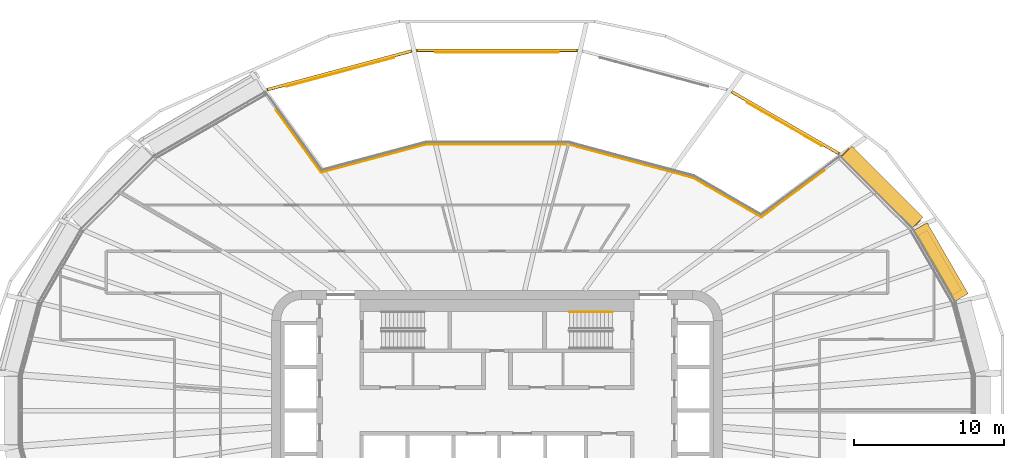
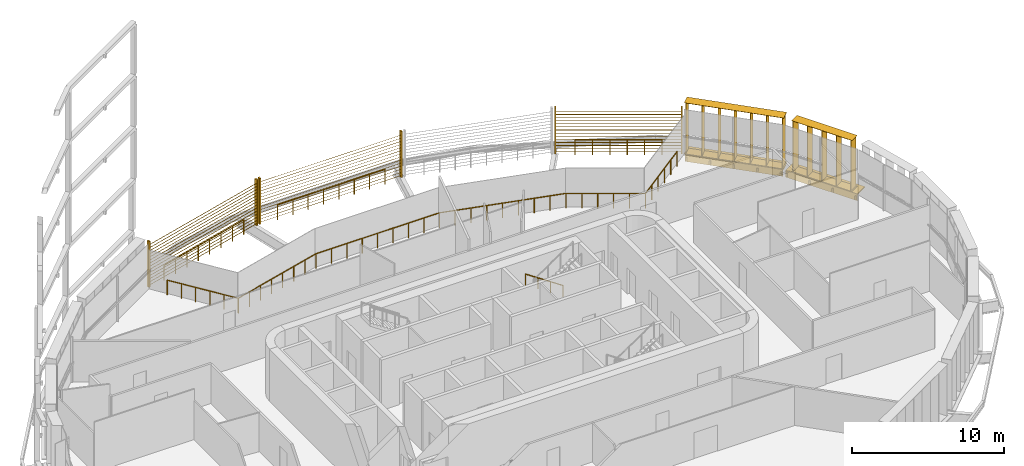
# One storey, part 24 of 25: 7 shading devices, 6 railings.
"""IFC4 building model written with IfcOpenShell, lengths in metres."""

import ifcopenshell
import ifcopenshell.guid

model = None  # the IFC model being written
_history = None  # IfcOwnerHistory: only IFC2X3 demands one
_inside = {}  # id of a spatial element -> (the spatial element, [elements in it])
_under = {}  # id of a project, library or spatial element -> (it, [spatial elements below it])
_declared = {}  # id of a project -> (the project, [libraries it declares])
_typed = {}  # id of a type object -> (the type object, [elements of that type])
_made_of = {}  # id of a material, layer set ... -> (it, [elements and type objects made of it])


def new_model(schema):
    """Start an empty IFC model of exactly this schema.

    Asked for "IFC4X3", IfcOpenShell would pick the latest addendum, in which some entities
    have other attributes; the version numbers below select the first issue.
    IFC2X3 requires an IfcOwnerHistory on every rooted entity: one is made here for all.
    """
    global model, _history
    if schema == "IFC4X3":
        model = ifcopenshell.file(schema_version=(4, 3, 0, 0))
    else:
        model = ifcopenshell.file(schema=schema)
    _inside.clear()
    _under.clear()
    _declared.clear()
    _typed.clear()
    _made_of.clear()
    _history = None
    if model.schema == "IFC2X3":
        org = make("IfcOrganization", Name="unknown")
        user = make(
            "IfcPersonAndOrganization",
            ThePerson=make("IfcPerson", FamilyName="unknown"),
            TheOrganization=org,
        )
        app = make(
            "IfcApplication",
            ApplicationDeveloper=org,
            Version="unknown",
            ApplicationFullName="unknown",
            ApplicationIdentifier="unknown",
        )
        _history = make(
            "IfcOwnerHistory",
            OwningUser=user,
            OwningApplication=app,
            ChangeAction="ADDED",
            CreationDate=0,
        )
    return model


def make(cls, **values):
    """One entity of the class cls with the attributes given. An attribute that is None is left unset."""
    return model.create_entity(
        cls, **{name: value for name, value in values.items() if value is not None}
    )


def rooted(cls, **values):
    """An entity with a GlobalId (a new one), such as an element, a storey or a relation."""
    return make(cls, GlobalId=ifcopenshell.guid.new(), OwnerHistory=_history, **values)


def si_unit(unit_type, name, prefix=None):
    """IfcSIUnit, for example si_unit("LENGTHUNIT", "METRE", prefix="MILLI")."""
    return make("IfcSIUnit", UnitType=unit_type, Prefix=prefix, Name=name)


def assignment(units):
    """IfcUnitAssignment: the units of a project."""
    return None if units is None else make("IfcUnitAssignment", Units=units)


def point(xyz):
    """IfcCartesianPoint."""
    return None if xyz is None else make("IfcCartesianPoint", Coordinates=xyz)


def direction(xyz):
    """IfcDirection."""
    return None if xyz is None else make("IfcDirection", DirectionRatios=xyz)


def frame(location, z_axis=None, x_axis=None):
    """IfcAxis2Placement3D, a coordinate frame: its origin and axes. An axis left out is left unset."""
    return make(
        "IfcAxis2Placement3D",
        Location=point(location),
        Axis=direction(z_axis),
        RefDirection=direction(x_axis),
    )


def frame_2d(location, x_axis=None):
    """IfcAxis2Placement2D, a coordinate frame in the plane: its origin and x axis."""
    return make(
        "IfcAxis2Placement2D", Location=point(location), RefDirection=direction(x_axis)
    )


def origin():
    """The frame at (0, 0, 0) with its axes left unset."""
    return frame((0.0, 0.0, 0.0))


def origin_2d():
    """The frame at (0, 0) in the plane with its x axis left unset."""
    return frame_2d((0.0, 0.0))


def place(relative_to, where):
    """IfcLocalPlacement: puts the frame where relative to a parent placement (None: the world)."""
    return make(
        "IfcLocalPlacement", PlacementRelTo=relative_to, RelativePlacement=where
    )


def context(
    kind, dimensions, precision=None, world=None, true_north=None, identifier=None
):
    """IfcGeometricRepresentationContext, for example the 3D "Model" context."""
    return make(
        "IfcGeometricRepresentationContext",
        ContextIdentifier=identifier,
        ContextType=kind,
        CoordinateSpaceDimension=dimensions,
        Precision=precision,
        WorldCoordinateSystem=world,
        TrueNorth=true_north,
    )


def subcontext(parent, identifier, kind, view, scale=None):
    """IfcGeometricRepresentationSubContext, for example "Body" below "Model"."""
    return make(
        "IfcGeometricRepresentationSubContext",
        ContextIdentifier=identifier,
        ContextType=kind,
        ParentContext=parent,
        TargetScale=scale,
        TargetView=view,
    )


def project(units=None, contexts=None):
    """IfcProject with its units and contexts."""
    return rooted(
        "IfcProject",
        Name="project",
        RepresentationContexts=contexts,
        UnitsInContext=assignment(units),
    )


def spatial(cls, under=None, at=None, **own):
    """A site, building, storey or space (cls), placed at a placement, below another one or the project."""
    s = rooted(cls, ObjectPlacement=at, **own)
    if under is not None:
        _under.setdefault(under.id(), (under, []))[1].append(s)
    return s


def profile(cls, at=None, kind="AREA", **sizes):
    """A parametric profile (cls). Its sizes go by their IFC names, for example OverallWidth=200.0."""
    return make(cls, ProfileType=kind, Position=at, **sizes)


def rectangle(**sizes):
    """IfcRectangleProfileDef."""
    return profile("IfcRectangleProfileDef", **sizes)


def circle(**sizes):
    """IfcCircleProfileDef."""
    return profile("IfcCircleProfileDef", **sizes)


def extrude(swept, where, along, depth):
    """IfcExtrudedAreaSolid: the profile swept, set in the frame where, extruded along a direction by depth."""
    return make(
        "IfcExtrudedAreaSolid",
        SweptArea=swept,
        Position=where,
        ExtrudedDirection=direction(along),
        Depth=depth,
    )


def shape(context_of_items, identifier, shape_type, items):
    """IfcShapeRepresentation: the items that make up one representation, for example the "Body"."""
    return make(
        "IfcShapeRepresentation",
        ContextOfItems=context_of_items,
        RepresentationIdentifier=identifier,
        RepresentationType=shape_type,
        Items=items,
    )


def material(Name=None, Category=None):
    """IfcMaterial."""
    return make("IfcMaterial", Name=Name, Category=Category)


def made_of(thing, what):
    """Note that an element or type object is made of a material, layer set ...; save() writes the relation."""
    if what is not None:
        _made_of.setdefault(what.id(), (what, []))[1].append(thing)
    return thing


def type_object(cls, material=None, **own):
    """A type object (cls), such as IfcWallType, which elements share."""
    return made_of(rooted(cls, **own), material)


def element(
    cls,
    number,
    at=None,
    inside=None,
    cuts=None,
    type_object=None,
    material=None,
    context=None,
    identifier="Body",
    shape_type=None,
    held_by="IfcProductDefinitionShape",
    body=None,
    shapes=None,
    **own,
):
    """One element of the class cls, such as IfcWall. Its Tag is "e" and its number.

    at: its placement. inside: the storey or other place that contains it. cuts: it is an
    opening in that element (IfcRelVoidsElement). A single representation is given by context,
    identifier, shape_type and body (its items); several are given by shapes. held_by: the class
    of the entity that holds the representations. save() writes the other relations.
    """
    e = rooted(cls, Tag="e%d" % number, ObjectPlacement=at, **own)
    if body is not None:
        shapes = [shape(context, identifier, shape_type, body)]
    if shapes is not None:
        e.Representation = make(held_by, Representations=shapes)
    if inside is not None:
        _inside.setdefault(inside.id(), (inside, []))[1].append(e)
    if cuts is not None:
        rooted(
            "IfcRelVoidsElement", RelatingBuildingElement=cuts, RelatedOpeningElement=e
        )
    if type_object is not None:
        _typed.setdefault(type_object.id(), (type_object, []))[1].append(e)
    return made_of(e, material)


def aggregate(whole, parts):
    """IfcRelAggregates: a whole, such as a stair, and the parts it consists of."""
    return rooted("IfcRelAggregates", RelatingObject=whole, RelatedObjects=parts)


def save(model, path):
    """Write the relations noted so far, then the file.

    IfcRelAggregates (storeys below a building ...), IfcRelContainedInSpatialStructure (elements
    in a storey), IfcRelDefinesByType, IfcRelAssociatesMaterial and IfcRelDeclares: one each for
    every whole, place, type object, material and project.
    """
    for whole, parts in _under.values():
        aggregate(whole, parts)
    for where, things in _inside.values():
        rooted(
            "IfcRelContainedInSpatialStructure",
            RelatedElements=things,
            RelatingStructure=where,
        )
    for kind, things in _typed.values():
        rooted("IfcRelDefinesByType", RelatedObjects=things, RelatingType=kind)
    for what, things in _made_of.values():
        rooted("IfcRelAssociatesMaterial", RelatedObjects=things, RelatingMaterial=what)
    for by, libraries in _declared.values():
        rooted("IfcRelDeclares", RelatingContext=by, RelatedDefinitions=libraries)
    model.write(path)


model = new_model("IFC4")

# Units and contexts
model_context = context("Model", 3, precision=1e-05, world=origin(), true_north=direction((0.0, 1.0)))
body_context = subcontext(model_context, "Body", "Model", "MODEL_VIEW")
ifc_project = project(units=[si_unit("LENGTHUNIT", "METRE"), si_unit("AREAUNIT", "SQUARE_METRE"), si_unit("VOLUMEUNIT", "CUBIC_METRE"), si_unit("PLANEANGLEUNIT", "RADIAN"), si_unit("MASSUNIT", "GRAM", prefix="KILO")], contexts=[model_context])

# Site, building, storey
site_placement = place(None, origin())
site = spatial("IfcSite", under=ifc_project, at=site_placement, CompositionType="ELEMENT")
building_placement = place(site_placement, origin())
building = spatial("IfcBuilding", under=site, at=building_placement, Name="Sahrelin Media Tower", CompositionType="ELEMENT")
storey_placement = place(building_placement, frame((0.0, 0.0, 127.199951171875)))
storey = spatial("IfcBuildingStorey", under=building, at=storey_placement, Name="L25", CompositionType="ELEMENT", Elevation=127.199951171875)

# Shading devices
ifc_material_1 = material(Name="Champagne anodised aluminium 6063-T6", Category="aluminium")
shading_device_type_1 = type_object("IfcShadingDeviceType", Name="Fin cassette", PredefinedType="USERDEFINED", material=ifc_material_1)
placement_1 = place(storey_placement, frame((29.098388671875, 9.6240234375, 0.0), z_axis=(0.0, 0.0, 1.0), x_axis=(0.500011000363, -0.866019052629, 0.0)))
element("IfcShadingDevice", 1, at=placement_1, inside=storey, type_object=shading_device_type_1, Name="L25:FIN:L25-02", ObjectType="FIN", PredefinedType="USERDEFINED", context=body_context, shape_type="SweptSolid", body=[
    extrude(rectangle(XDim=4.60009765625, YDim=0.699951171875, at=origin_2d()), frame((0.0, 0.419921875, 0.0)), (0.0, 0.0, 1.0), 0.02001953125),
    extrude(rectangle(XDim=4.60009765625, YDim=0.699951171875, at=origin_2d()), frame((0.0, 0.419921875, 4.10009765625)), (0.0, 0.0, 1.0), 0.02001953125),
    extrude(rectangle(XDim=0.02001953125, YDim=0.699951171875, at=origin_2d()), frame((-2.199951171875, 0.419921875, 0.010009765625), z_axis=(0.0, 0.0, 1.0), x_axis=(1.0, 0.0, 0.0)), (0.0, 0.0, 1.0), 4.10009765625),
    extrude(rectangle(XDim=0.02001953125, YDim=0.699951171875, at=origin_2d()), frame((-1.10009765625, 0.419921875, 0.010009765625), z_axis=(0.0, 0.0, 1.0), x_axis=(1.0, 0.0, 0.0)), (0.0, 0.0, 1.0), 4.10009765625),
    extrude(rectangle(XDim=0.02001953125, YDim=0.699951171875, at=origin_2d()), frame((0.0, 0.419921875, 0.010009765625), z_axis=(0.0, 0.0, 1.0), x_axis=(1.0, 0.0, 0.0)), (0.0, 0.0, 1.0), 4.10009765625),
    extrude(rectangle(XDim=0.02001953125, YDim=0.699951171875, at=origin_2d()), frame((1.10009765625, 0.419921875, 0.010009765625), z_axis=(0.0, 0.0, 1.0), x_axis=(1.0, 0.0, 0.0)), (0.0, 0.0, 1.0), 4.10009765625),
    extrude(rectangle(XDim=0.02001953125, YDim=0.699951171875, at=origin_2d()), frame((2.199951171875, 0.419921875, 0.010009765625), z_axis=(0.0, 0.0, 1.0), x_axis=(1.0, 0.0, 0.0)), (0.0, 0.0, 1.0), 4.10009765625),
])
placement_2 = place(storey_placement, frame((25.25634765625, 14.5009765625, 0.0), z_axis=(0.0, 0.0, 1.0), x_axis=(0.707106781187, -0.707106781187, 0.0)))
element("IfcShadingDevice", 2, at=placement_2, inside=storey, type_object=shading_device_type_1, Name="L25:FIN:L25-03", ObjectType="FIN", PredefinedType="USERDEFINED", context=body_context, shape_type="SweptSolid", body=[
    extrude(rectangle(XDim=6.800048828125, YDim=0.699951171875, at=origin_2d()), frame((0.0, 0.419921875, 0.0)), (0.0, 0.0, 1.0), 0.02001953125),
    extrude(rectangle(XDim=6.800048828125, YDim=0.699951171875, at=origin_2d()), frame((0.0, 0.419921875, 4.10009765625)), (0.0, 0.0, 1.0), 0.02001953125),
    extrude(rectangle(XDim=0.02001953125, YDim=0.699951171875, at=origin_2d()), frame((-3.300048828125, 0.419921875, 0.010009765625), z_axis=(0.0, 0.0, 1.0), x_axis=(1.0, 0.0, 0.0)), (0.0, 0.0, 1.0), 4.10009765625),
    extrude(rectangle(XDim=0.02001953125, YDim=0.699951171875, at=origin_2d()), frame((-2.199951171875, 0.419921875, 0.010009765625), z_axis=(0.0, 0.0, 1.0), x_axis=(1.0, 0.0, 0.0)), (0.0, 0.0, 1.0), 4.10009765625),
    extrude(rectangle(XDim=0.02001953125, YDim=0.699951171875, at=origin_2d()), frame((-1.10009765625, 0.419921875, 0.010009765625), z_axis=(0.0, 0.0, 1.0), x_axis=(1.0, 0.0, 0.0)), (0.0, 0.0, 1.0), 4.10009765625),
    extrude(rectangle(XDim=0.02001953125, YDim=0.699951171875, at=origin_2d()), frame((0.0, 0.419921875, 0.010009765625), z_axis=(0.0, 0.0, 1.0), x_axis=(1.0, 0.0, 0.0)), (0.0, 0.0, 1.0), 4.10009765625),
    extrude(rectangle(XDim=0.02001953125, YDim=0.699951171875, at=origin_2d()), frame((1.10009765625, 0.419921875, 0.010009765625), z_axis=(0.0, 0.0, 1.0), x_axis=(1.0, 0.0, 0.0)), (0.0, 0.0, 1.0), 4.10009765625),
    extrude(rectangle(XDim=0.02001953125, YDim=0.699951171875, at=origin_2d()), frame((2.199951171875, 0.419921875, 0.010009765625), z_axis=(0.0, 0.0, 1.0), x_axis=(1.0, 0.0, 0.0)), (0.0, 0.0, 1.0), 4.10009765625),
    extrude(rectangle(XDim=0.02001953125, YDim=0.699951171875, at=origin_2d()), frame((3.300048828125, 0.419921875, 0.010009765625), z_axis=(0.0, 0.0, 1.0), x_axis=(1.0, 0.0, 0.0)), (0.0, 0.0, 1.0), 4.10009765625),
])
shading_device_type_2 = type_object("IfcShadingDeviceType", Name="Garden screen", PredefinedType="USERDEFINED", material=ifc_material_1)
shading_device_3_placement = place(storey_placement, frame((19.12109375, 19.069580078125, 0.0), z_axis=(0.0, 0.0, 1.0), x_axis=(0.866019052629, -0.500011000363, 0.0)))
element("IfcShadingDevice", 3, at=shading_device_3_placement, inside=storey, type_object=shading_device_type_2, Name="L25:SCREEN:L25-04", ObjectType="SCREEN", PredefinedType="USERDEFINED", context=body_context, shape_type="SweptSolid", body=[
    extrude(rectangle(XDim=0.1201171875, YDim=0.199951171875, at=origin_2d()), frame((4.170166015625, 0.10009765625, 0.050048828125), z_axis=(0.0, 0.0, 1.0), x_axis=(1.0, 0.0, 0.0)), (0.0, 0.0, 1.0), 3.698486328125),
    extrude(rectangle(XDim=0.1201171875, YDim=0.199951171875, at=origin_2d()), frame((-4.170166015625, 0.10009765625, 0.050048828125), z_axis=(0.0, 0.0, 1.0), x_axis=(1.0, 0.0, 0.0)), (0.0, 0.0, 1.0), 3.698486328125),
    extrude(rectangle(XDim=0.25, YDim=0.02001953125, at=origin_2d()), frame((4.110107421875, 0.10009765625, 0.14990234375), z_axis=(-1.0, 0.0, 0.0), x_axis=(0.0, -0.766044443119, 0.642787609687)), (0.0, 0.0, 1.0), 8.22021484375),
    extrude(rectangle(XDim=0.25, YDim=0.02001953125, at=origin_2d()), frame((4.110107421875, 0.10009765625, 0.39990234375), z_axis=(-1.0, 0.0, 0.0), x_axis=(0.0, -0.766044443119, 0.642787609687)), (0.0, 0.0, 1.0), 8.22021484375),
    extrude(rectangle(XDim=0.25, YDim=0.02001953125, at=origin_2d()), frame((4.110107421875, 0.10009765625, 0.64990234375), z_axis=(-1.0, 0.0, 0.0), x_axis=(0.0, -0.766044443119, 0.642787609687)), (0.0, 0.0, 1.0), 8.22021484375),
    extrude(rectangle(XDim=0.25, YDim=0.02001953125, at=origin_2d()), frame((4.110107421875, 0.10009765625, 0.89990234375), z_axis=(-1.0, 0.0, 0.0), x_axis=(0.0, -0.766044443119, 0.642787609687)), (0.0, 0.0, 1.0), 8.22021484375),
    extrude(rectangle(XDim=0.25, YDim=0.02001953125, at=origin_2d()), frame((4.110107421875, 0.10009765625, 1.14990234375), z_axis=(-1.0, 0.0, 0.0), x_axis=(0.0, -0.766044443119, 0.642787609687)), (0.0, 0.0, 1.0), 8.22021484375),
    extrude(rectangle(XDim=0.25, YDim=0.02001953125, at=origin_2d()), frame((4.110107421875, 0.10009765625, 1.39990234375), z_axis=(-1.0, 0.0, 0.0), x_axis=(0.0, -0.766044443119, 0.642787609687)), (0.0, 0.0, 1.0), 8.22021484375),
    extrude(rectangle(XDim=0.25, YDim=0.02001953125, at=origin_2d()), frame((4.110107421875, 0.10009765625, 1.64990234375), z_axis=(-1.0, 0.0, 0.0), x_axis=(0.0, -0.766044443119, 0.642787609687)), (0.0, 0.0, 1.0), 8.22021484375),
    extrude(rectangle(XDim=0.25, YDim=0.02001953125, at=origin_2d()), frame((4.110107421875, 0.10009765625, 1.89990234375), z_axis=(-1.0, 0.0, 0.0), x_axis=(0.0, -0.766044443119, 0.642787609687)), (0.0, 0.0, 1.0), 8.22021484375),
    extrude(rectangle(XDim=0.25, YDim=0.02001953125, at=origin_2d()), frame((4.110107421875, 0.10009765625, 2.14990234375), z_axis=(-1.0, 0.0, 0.0), x_axis=(0.0, -0.766044443119, 0.642787609687)), (0.0, 0.0, 1.0), 8.22021484375),
    extrude(rectangle(XDim=0.25, YDim=0.02001953125, at=origin_2d()), frame((4.110107421875, 0.10009765625, 2.39990234375), z_axis=(-1.0, 0.0, 0.0), x_axis=(0.0, -0.766044443119, 0.642787609687)), (0.0, 0.0, 1.0), 8.22021484375),
    extrude(rectangle(XDim=0.25, YDim=0.02001953125, at=origin_2d()), frame((4.110107421875, 0.10009765625, 2.64990234375), z_axis=(-1.0, 0.0, 0.0), x_axis=(0.0, -0.766044443119, 0.642787609687)), (0.0, 0.0, 1.0), 8.22021484375),
    extrude(rectangle(XDim=0.25, YDim=0.02001953125, at=origin_2d()), frame((4.110107421875, 0.10009765625, 2.89990234375), z_axis=(-1.0, 0.0, 0.0), x_axis=(0.0, -0.766044443119, 0.642787609687)), (0.0, 0.0, 1.0), 8.22021484375),
    extrude(rectangle(XDim=0.25, YDim=0.02001953125, at=origin_2d()), frame((4.110107421875, 0.10009765625, 3.14990234375), z_axis=(-1.0, 0.0, 0.0), x_axis=(0.0, -0.766044443119, 0.642787609687)), (0.0, 0.0, 1.0), 8.22021484375),
    extrude(rectangle(XDim=0.25, YDim=0.02001953125, at=origin_2d()), frame((4.110107421875, 0.10009765625, 3.39990234375), z_axis=(-1.0, 0.0, 0.0), x_axis=(0.0, -0.766044443119, 0.642787609687)), (0.0, 0.0, 1.0), 8.22021484375),
])
shading_device_4_placement = place(storey_placement, frame((0.0, 23.86474609375, 0.0), z_axis=(0.0, 0.0, 1.0), x_axis=(1.0, 0.0, 0.0)))
element("IfcShadingDevice", 4, at=shading_device_4_placement, inside=storey, type_object=shading_device_type_2, Name="L25:SCREEN:L25-06", ObjectType="SCREEN", PredefinedType="USERDEFINED", context=body_context, shape_type="SweptSolid", body=[
    extrude(rectangle(XDim=0.1201171875, YDim=0.199951171875, at=origin_2d()), frame((5.396240234375, 0.10009765625, 0.050048828125), z_axis=(0.0, 0.0, 1.0), x_axis=(1.0, 0.0, 0.0)), (0.0, 0.0, 1.0), 3.698486328125),
    extrude(rectangle(XDim=0.1201171875, YDim=0.199951171875, at=origin_2d()), frame((-5.396240234375, 0.10009765625, 0.050048828125), z_axis=(0.0, 0.0, 1.0), x_axis=(1.0, 0.0, 0.0)), (0.0, 0.0, 1.0), 3.698486328125),
    extrude(rectangle(XDim=0.25, YDim=0.02001953125, at=origin_2d()), frame((5.336181640625, 0.10009765625, 0.14990234375), z_axis=(-1.0, 0.0, 0.0), x_axis=(0.0, -0.766044443119, 0.642787609687)), (0.0, 0.0, 1.0), 10.67236328125),
    extrude(rectangle(XDim=0.25, YDim=0.02001953125, at=origin_2d()), frame((5.336181640625, 0.10009765625, 0.39990234375), z_axis=(-1.0, 0.0, 0.0), x_axis=(0.0, -0.766044443119, 0.642787609687)), (0.0, 0.0, 1.0), 10.67236328125),
    extrude(rectangle(XDim=0.25, YDim=0.02001953125, at=origin_2d()), frame((5.336181640625, 0.10009765625, 0.64990234375), z_axis=(-1.0, 0.0, 0.0), x_axis=(0.0, -0.766044443119, 0.642787609687)), (0.0, 0.0, 1.0), 10.67236328125),
    extrude(rectangle(XDim=0.25, YDim=0.02001953125, at=origin_2d()), frame((5.336181640625, 0.10009765625, 0.89990234375), z_axis=(-1.0, 0.0, 0.0), x_axis=(0.0, -0.766044443119, 0.642787609687)), (0.0, 0.0, 1.0), 10.67236328125),
    extrude(rectangle(XDim=0.25, YDim=0.02001953125, at=origin_2d()), frame((5.336181640625, 0.10009765625, 1.14990234375), z_axis=(-1.0, 0.0, 0.0), x_axis=(0.0, -0.766044443119, 0.642787609687)), (0.0, 0.0, 1.0), 10.67236328125),
    extrude(rectangle(XDim=0.25, YDim=0.02001953125, at=origin_2d()), frame((5.336181640625, 0.10009765625, 1.39990234375), z_axis=(-1.0, 0.0, 0.0), x_axis=(0.0, -0.766044443119, 0.642787609687)), (0.0, 0.0, 1.0), 10.67236328125),
    extrude(rectangle(XDim=0.25, YDim=0.02001953125, at=origin_2d()), frame((5.336181640625, 0.10009765625, 1.64990234375), z_axis=(-1.0, 0.0, 0.0), x_axis=(0.0, -0.766044443119, 0.642787609687)), (0.0, 0.0, 1.0), 10.67236328125),
    extrude(rectangle(XDim=0.25, YDim=0.02001953125, at=origin_2d()), frame((5.336181640625, 0.10009765625, 1.89990234375), z_axis=(-1.0, 0.0, 0.0), x_axis=(0.0, -0.766044443119, 0.642787609687)), (0.0, 0.0, 1.0), 10.67236328125),
    extrude(rectangle(XDim=0.25, YDim=0.02001953125, at=origin_2d()), frame((5.336181640625, 0.10009765625, 2.14990234375), z_axis=(-1.0, 0.0, 0.0), x_axis=(0.0, -0.766044443119, 0.642787609687)), (0.0, 0.0, 1.0), 10.67236328125),
    extrude(rectangle(XDim=0.25, YDim=0.02001953125, at=origin_2d()), frame((5.336181640625, 0.10009765625, 2.39990234375), z_axis=(-1.0, 0.0, 0.0), x_axis=(0.0, -0.766044443119, 0.642787609687)), (0.0, 0.0, 1.0), 10.67236328125),
    extrude(rectangle(XDim=0.25, YDim=0.02001953125, at=origin_2d()), frame((5.336181640625, 0.10009765625, 2.64990234375), z_axis=(-1.0, 0.0, 0.0), x_axis=(0.0, -0.766044443119, 0.642787609687)), (0.0, 0.0, 1.0), 10.67236328125),
    extrude(rectangle(XDim=0.25, YDim=0.02001953125, at=origin_2d()), frame((5.336181640625, 0.10009765625, 2.89990234375), z_axis=(-1.0, 0.0, 0.0), x_axis=(0.0, -0.766044443119, 0.642787609687)), (0.0, 0.0, 1.0), 10.67236328125),
    extrude(rectangle(XDim=0.25, YDim=0.02001953125, at=origin_2d()), frame((5.336181640625, 0.10009765625, 3.14990234375), z_axis=(-1.0, 0.0, 0.0), x_axis=(0.0, -0.766044443119, 0.642787609687)), (0.0, 0.0, 1.0), 10.67236328125),
    extrude(rectangle(XDim=0.25, YDim=0.02001953125, at=origin_2d()), frame((5.336181640625, 0.10009765625, 3.39990234375), z_axis=(-1.0, 0.0, 0.0), x_axis=(0.0, -0.766044443119, 0.642787609687)), (0.0, 0.0, 1.0), 10.67236328125),
])
shading_device_5_placement = place(storey_placement, frame((-10.460205078125, 22.537353515625, 0.0), z_axis=(0.0, 0.0, 1.0), x_axis=(0.965928857556, 0.258807731996, 0.0)))
element("IfcShadingDevice", 5, at=shading_device_5_placement, inside=storey, type_object=shading_device_type_2, Name="L25:SCREEN:L25-07", ObjectType="SCREEN", PredefinedType="USERDEFINED", context=body_context, shape_type="SweptSolid", body=[
    extrude(rectangle(XDim=0.1201171875, YDim=0.199951171875, at=origin_2d()), frame((5.018798828125, 0.10009765625, 0.050048828125), z_axis=(0.0, 0.0, 1.0), x_axis=(1.0, 0.0, 0.0)), (0.0, 0.0, 1.0), 3.698486328125),
    extrude(rectangle(XDim=0.1201171875, YDim=0.199951171875, at=origin_2d()), frame((-5.018798828125, 0.10009765625, 0.050048828125), z_axis=(0.0, 0.0, 1.0), x_axis=(1.0, 0.0, 0.0)), (0.0, 0.0, 1.0), 3.698486328125),
    extrude(rectangle(XDim=0.25, YDim=0.02001953125, at=origin_2d()), frame((4.958740234375, 0.10009765625, 0.14990234375), z_axis=(-1.0, 0.0, 0.0), x_axis=(0.0, -0.766044443119, 0.642787609687)), (0.0, 0.0, 1.0), 9.91748046875),
    extrude(rectangle(XDim=0.25, YDim=0.02001953125, at=origin_2d()), frame((4.958740234375, 0.10009765625, 0.39990234375), z_axis=(-1.0, 0.0, 0.0), x_axis=(0.0, -0.766044443119, 0.642787609687)), (0.0, 0.0, 1.0), 9.91748046875),
    extrude(rectangle(XDim=0.25, YDim=0.02001953125, at=origin_2d()), frame((4.958740234375, 0.10009765625, 0.64990234375), z_axis=(-1.0, 0.0, 0.0), x_axis=(0.0, -0.766044443119, 0.642787609687)), (0.0, 0.0, 1.0), 9.91748046875),
    extrude(rectangle(XDim=0.25, YDim=0.02001953125, at=origin_2d()), frame((4.958740234375, 0.10009765625, 0.89990234375), z_axis=(-1.0, 0.0, 0.0), x_axis=(0.0, -0.766044443119, 0.642787609687)), (0.0, 0.0, 1.0), 9.91748046875),
    extrude(rectangle(XDim=0.25, YDim=0.02001953125, at=origin_2d()), frame((4.958740234375, 0.10009765625, 1.14990234375), z_axis=(-1.0, 0.0, 0.0), x_axis=(0.0, -0.766044443119, 0.642787609687)), (0.0, 0.0, 1.0), 9.91748046875),
    extrude(rectangle(XDim=0.25, YDim=0.02001953125, at=origin_2d()), frame((4.958740234375, 0.10009765625, 1.39990234375), z_axis=(-1.0, 0.0, 0.0), x_axis=(0.0, -0.766044443119, 0.642787609687)), (0.0, 0.0, 1.0), 9.91748046875),
    extrude(rectangle(XDim=0.25, YDim=0.02001953125, at=origin_2d()), frame((4.958740234375, 0.10009765625, 1.64990234375), z_axis=(-1.0, 0.0, 0.0), x_axis=(0.0, -0.766044443119, 0.642787609687)), (0.0, 0.0, 1.0), 9.91748046875),
    extrude(rectangle(XDim=0.25, YDim=0.02001953125, at=origin_2d()), frame((4.958740234375, 0.10009765625, 1.89990234375), z_axis=(-1.0, 0.0, 0.0), x_axis=(0.0, -0.766044443119, 0.642787609687)), (0.0, 0.0, 1.0), 9.91748046875),
    extrude(rectangle(XDim=0.25, YDim=0.02001953125, at=origin_2d()), frame((4.958740234375, 0.10009765625, 2.14990234375), z_axis=(-1.0, 0.0, 0.0), x_axis=(0.0, -0.766044443119, 0.642787609687)), (0.0, 0.0, 1.0), 9.91748046875),
    extrude(rectangle(XDim=0.25, YDim=0.02001953125, at=origin_2d()), frame((4.958740234375, 0.10009765625, 2.39990234375), z_axis=(-1.0, 0.0, 0.0), x_axis=(0.0, -0.766044443119, 0.642787609687)), (0.0, 0.0, 1.0), 9.91748046875),
    extrude(rectangle(XDim=0.25, YDim=0.02001953125, at=origin_2d()), frame((4.958740234375, 0.10009765625, 2.64990234375), z_axis=(-1.0, 0.0, 0.0), x_axis=(0.0, -0.766044443119, 0.642787609687)), (0.0, 0.0, 1.0), 9.91748046875),
    extrude(rectangle(XDim=0.25, YDim=0.02001953125, at=origin_2d()), frame((4.958740234375, 0.10009765625, 2.89990234375), z_axis=(-1.0, 0.0, 0.0), x_axis=(0.0, -0.766044443119, 0.642787609687)), (0.0, 0.0, 1.0), 9.91748046875),
    extrude(rectangle(XDim=0.25, YDim=0.02001953125, at=origin_2d()), frame((4.958740234375, 0.10009765625, 3.14990234375), z_axis=(-1.0, 0.0, 0.0), x_axis=(0.0, -0.766044443119, 0.642787609687)), (0.0, 0.0, 1.0), 9.91748046875),
    extrude(rectangle(XDim=0.25, YDim=0.02001953125, at=origin_2d()), frame((4.958740234375, 0.10009765625, 3.39990234375), z_axis=(-1.0, 0.0, 0.0), x_axis=(0.0, -0.766044443119, 0.642787609687)), (0.0, 0.0, 1.0), 9.91748046875),
])

# Railings
ifc_material_2 = material(Name="Stainless steel 316", Category="steel")
railing_type_1 = type_object("IfcRailingType", Name="Sky garden guard", PredefinedType="GUARDRAIL", material=ifc_material_2)
railing_1_placement = place(storey_placement, frame((17.58544921875, 12.85498046875, 0.0)))
element("IfcRailing", 6, at=railing_1_placement, inside=storey, type_object=railing_type_1, Name="Sky garden void guard G2-1", PredefinedType="GUARDRAIL", context=body_context, shape_type="SweptSolid", body=[
    extrude(circle(Radius=0.02392578125, at=origin_2d()), frame((0.0, 0.0, 1.17578125), z_axis=(-0.86603607867, 0.499981510101, 0.0), x_axis=(-0.499981510101, -0.86603607867, 0.0)), (0.0, 0.0, 1.0), 5.248291015625),
    extrude(circle(Radius=0.02392578125, at=origin_2d()), frame((-4.545166015625, 2.6240234375, 1.17578125), z_axis=(-0.965928875843, 0.258807663743, 0.0), x_axis=(-0.258807663743, -0.965928875843, 0.0)), (0.0, 0.0, 1.0), 8.637939453125),
    extrude(circle(Radius=0.02392578125, at=origin_2d()), frame((-12.888916015625, 4.859619140625, 1.17578125), z_axis=(-1.0, 0.0, 0.0), x_axis=(0.0, -1.0, 0.0)), (0.0, 0.0, 1.0), 9.39306640625),
    extrude(circle(Radius=0.02392578125, at=origin_2d()), frame((-22.281982421875, 4.859619140625, 1.17578125), z_axis=(-0.96592895347, -0.258807374021, 0.0), x_axis=(0.258807374021, -0.96592895347, 0.0)), (0.0, 0.0, 1.0), 7.24658203125),
    extrude(circle(Radius=0.02392578125, at=origin_2d()), frame((-29.28173828125, 2.984130859375, 1.17578125), z_axis=(-0.587911048632, 0.80892558304, 0.0), x_axis=(-0.80892558304, -0.587911048632, 0.0)), (0.0, 0.0, 1.0), 5.12451171875),
    extrude(circle(Radius=0.02099609375, at=origin_2d()), origin(), (0.0, 0.0, 1.0), 1.15185546875),
    extrude(circle(Radius=0.02099609375, at=origin_2d()), frame((-0.908935546875, 0.52490234375, 0.0)), (0.0, 0.0, 1.0), 1.15185546875),
    extrude(circle(Radius=0.02099609375, at=origin_2d()), frame((-1.818115234375, 1.049560546875, 0.0)), (0.0, 0.0, 1.0), 1.15185546875),
    extrude(circle(Radius=0.02099609375, at=origin_2d()), frame((-2.72705078125, 1.574462890625, 0.0)), (0.0, 0.0, 1.0), 1.15185546875),
    extrude(circle(Radius=0.02099609375, at=origin_2d()), frame((-3.63623046875, 2.09912109375, 0.0)), (0.0, 0.0, 1.0), 1.15185546875),
    extrude(circle(Radius=0.02099609375, at=origin_2d()), frame((-4.545166015625, 2.6240234375, 0.0)), (0.0, 0.0, 1.0), 1.15185546875),
    extrude(circle(Radius=0.02099609375, at=origin_2d()), frame((-5.588134765625, 2.903564453125, 0.0)), (0.0, 0.0, 1.0), 1.15185546875),
    extrude(circle(Radius=0.02099609375, at=origin_2d()), frame((-6.631103515625, 3.182861328125, 0.0)), (0.0, 0.0, 1.0), 1.15185546875),
    extrude(circle(Radius=0.02099609375, at=origin_2d()), frame((-7.674072265625, 3.46240234375, 0.0)), (0.0, 0.0, 1.0), 1.15185546875),
    extrude(circle(Radius=0.02099609375, at=origin_2d()), frame((-8.717041015625, 3.74169921875, 0.0)), (0.0, 0.0, 1.0), 1.15185546875),
    extrude(circle(Radius=0.02099609375, at=origin_2d()), frame((-9.760009765625, 4.021240234375, 0.0)), (0.0, 0.0, 1.0), 1.15185546875),
    extrude(circle(Radius=0.02099609375, at=origin_2d()), frame((-10.802978515625, 4.30078125, 0.0)), (0.0, 0.0, 1.0), 1.15185546875),
    extrude(circle(Radius=0.02099609375, at=origin_2d()), frame((-11.845947265625, 4.580078125, 0.0)), (0.0, 0.0, 1.0), 1.15185546875),
    extrude(circle(Radius=0.02099609375, at=origin_2d()), frame((-12.888916015625, 4.859619140625, 0.0)), (0.0, 0.0, 1.0), 1.15185546875),
    extrude(circle(Radius=0.02099609375, at=origin_2d()), frame((-14.06298828125, 4.859619140625, 0.0)), (0.0, 0.0, 1.0), 1.15185546875),
    extrude(circle(Radius=0.02099609375, at=origin_2d()), frame((-15.2373046875, 4.859619140625, 0.0)), (0.0, 0.0, 1.0), 1.15185546875),
    extrude(circle(Radius=0.02099609375, at=origin_2d()), frame((-16.411376953125, 4.859619140625, 0.0)), (0.0, 0.0, 1.0), 1.15185546875),
    extrude(circle(Radius=0.02099609375, at=origin_2d()), frame((-17.58544921875, 4.859619140625, 0.0)), (0.0, 0.0, 1.0), 1.15185546875),
    extrude(circle(Radius=0.02099609375, at=origin_2d()), frame((-18.759521484375, 4.859619140625, 0.0)), (0.0, 0.0, 1.0), 1.15185546875),
    extrude(circle(Radius=0.02099609375, at=origin_2d()), frame((-19.93359375, 4.859619140625, 0.0)), (0.0, 0.0, 1.0), 1.15185546875),
    extrude(circle(Radius=0.02099609375, at=origin_2d()), frame((-21.10791015625, 4.859619140625, 0.0)), (0.0, 0.0, 1.0), 1.15185546875),
    extrude(circle(Radius=0.02099609375, at=origin_2d()), frame((-22.281982421875, 4.859619140625, 0.0)), (0.0, 0.0, 1.0), 1.15185546875),
    extrude(circle(Radius=0.02099609375, at=origin_2d()), frame((-23.281982421875, 4.591796875, 0.0)), (0.0, 0.0, 1.0), 1.15185546875),
    extrude(circle(Radius=0.02099609375, at=origin_2d()), frame((-24.281982421875, 4.32373046875, 0.0)), (0.0, 0.0, 1.0), 1.15185546875),
    extrude(circle(Radius=0.02099609375, at=origin_2d()), frame((-25.281982421875, 4.055908203125, 0.0)), (0.0, 0.0, 1.0), 1.15185546875),
    extrude(circle(Radius=0.02099609375, at=origin_2d()), frame((-26.28173828125, 3.787841796875, 0.0)), (0.0, 0.0, 1.0), 1.15185546875),
    extrude(circle(Radius=0.02099609375, at=origin_2d()), frame((-27.28173828125, 3.52001953125, 0.0)), (0.0, 0.0, 1.0), 1.15185546875),
    extrude(circle(Radius=0.02099609375, at=origin_2d()), frame((-28.28173828125, 3.251953125, 0.0)), (0.0, 0.0, 1.0), 1.15185546875),
    extrude(circle(Radius=0.02099609375, at=origin_2d()), frame((-29.28173828125, 2.984130859375, 0.0)), (0.0, 0.0, 1.0), 1.15185546875),
    extrude(circle(Radius=0.02099609375, at=origin_2d()), frame((-29.88427734375, 3.813232421875, 0.0)), (0.0, 0.0, 1.0), 1.15185546875),
    extrude(circle(Radius=0.02099609375, at=origin_2d()), frame((-30.48681640625, 4.642333984375, 0.0)), (0.0, 0.0, 1.0), 1.15185546875),
    extrude(circle(Radius=0.02099609375, at=origin_2d()), frame((-31.08935546875, 5.47119140625, 0.0)), (0.0, 0.0, 1.0), 1.15185546875),
    extrude(circle(Radius=0.02099609375, at=origin_2d()), frame((-31.69189453125, 6.30029296875, 0.0)), (0.0, 0.0, 1.0), 1.15185546875),
    extrude(circle(Radius=0.02099609375, at=origin_2d()), frame((-32.29443359375, 7.12939453125, 0.0)), (0.0, 0.0, 1.0), 1.15185546875),
])
railing_2_placement = place(storey_placement, frame((-14.0419921875, 21.55419921875, 0.0)))
element("IfcRailing", 7, at=railing_2_placement, inside=storey, type_object=railing_type_1, Name="Sky garden void guard G2-2", PredefinedType="GUARDRAIL", context=body_context, shape_type="SweptSolid", body=[
    extrude(circle(Radius=0.02392578125, at=origin_2d()), frame((0.0, 0.0, 1.17578125), z_axis=(0.965920621981, 0.258838467064, 0.0), x_axis=(-0.258838467064, 0.965920621981, 0.0)), (0.0, 0.0, 1.0), 7.4296875),
    extrude(circle(Radius=0.02099609375, at=origin_2d()), origin(), (0.0, 0.0, 1.0), 1.15185546875),
    extrude(circle(Radius=0.02099609375, at=origin_2d()), frame((1.025146484375, 0.274658203125, 0.0)), (0.0, 0.0, 1.0), 1.15185546875),
    extrude(circle(Radius=0.02099609375, at=origin_2d()), frame((2.050537109375, 0.549560546875, 0.0)), (0.0, 0.0, 1.0), 1.15185546875),
    extrude(circle(Radius=0.02099609375, at=origin_2d()), frame((3.07568359375, 0.82421875, 0.0)), (0.0, 0.0, 1.0), 1.15185546875),
    extrude(circle(Radius=0.02099609375, at=origin_2d()), frame((4.100830078125, 1.098876953125, 0.0)), (0.0, 0.0, 1.0), 1.15185546875),
    extrude(circle(Radius=0.02099609375, at=origin_2d()), frame((5.1259765625, 1.37353515625, 0.0)), (0.0, 0.0, 1.0), 1.15185546875),
    extrude(circle(Radius=0.02099609375, at=origin_2d()), frame((6.1513671875, 1.6484375, 0.0)), (0.0, 0.0, 1.0), 1.15185546875),
    extrude(circle(Radius=0.02099609375, at=origin_2d()), frame((7.176513671875, 1.923095703125, 0.0)), (0.0, 0.0, 1.0), 1.15185546875),
])
railing_3_placement = place(storey_placement, frame((-4.08837890625, 23.84228515625, 0.0)))
element("IfcRailing", 8, at=railing_3_placement, inside=storey, type_object=railing_type_1, Name="Sky garden void guard G2-3", PredefinedType="GUARDRAIL", context=body_context, shape_type="SweptSolid", body=[
    extrude(circle(Radius=0.02392578125, at=origin_2d()), frame((0.0, 0.0, 1.17578125), z_axis=(1.0, 0.0, 0.0), x_axis=(0.0, 1.0, 0.0)), (0.0, 0.0, 1.0), 8.1767578125),
    extrude(circle(Radius=0.02099609375, at=origin_2d()), origin(), (0.0, 0.0, 1.0), 1.15185546875),
    extrude(circle(Radius=0.02099609375, at=origin_2d()), frame((1.168212890625, 0.0, 0.0)), (0.0, 0.0, 1.0), 1.15185546875),
    extrude(circle(Radius=0.02099609375, at=origin_2d()), frame((2.336181640625, 0.0, 0.0)), (0.0, 0.0, 1.0), 1.15185546875),
    extrude(circle(Radius=0.02099609375, at=origin_2d()), frame((3.50439453125, 0.0, 0.0)), (0.0, 0.0, 1.0), 1.15185546875),
    extrude(circle(Radius=0.02099609375, at=origin_2d()), frame((4.67236328125, 0.0, 0.0)), (0.0, 0.0, 1.0), 1.15185546875),
    extrude(circle(Radius=0.02099609375, at=origin_2d()), frame((5.840576171875, 0.0, 0.0)), (0.0, 0.0, 1.0), 1.15185546875),
    extrude(circle(Radius=0.02099609375, at=origin_2d()), frame((7.008544921875, 0.0, 0.0)), (0.0, 0.0, 1.0), 1.15185546875),
    extrude(circle(Radius=0.02099609375, at=origin_2d()), frame((8.1767578125, 0.0, 0.0)), (0.0, 0.0, 1.0), 1.15185546875),
])
railing_4_placement = place(storey_placement, frame((16.628173828125, 20.48291015625, 0.0)))
element("IfcRailing", 9, at=railing_4_placement, inside=storey, type_object=railing_type_1, Name="Sky garden void guard G2-5", PredefinedType="GUARDRAIL", context=body_context, shape_type="SweptSolid", body=[
    extrude(circle(Radius=0.02392578125, at=origin_2d()), frame((0.0, 0.0, 1.17578125), z_axis=(0.866033107044, -0.499986657325, 0.0), x_axis=(0.499986657325, 0.866033107044, 0.0)), (0.0, 0.0, 1.0), 5.732666015625),
    extrude(circle(Radius=0.02099609375, at=origin_2d()), origin(), (0.0, 0.0, 1.0), 1.15185546875),
    extrude(circle(Radius=0.02099609375, at=origin_2d()), frame((0.992919921875, -0.5732421875, 0.0)), (0.0, 0.0, 1.0), 1.15185546875),
    extrude(circle(Radius=0.02099609375, at=origin_2d()), frame((1.98583984375, -1.146484375, 0.0)), (0.0, 0.0, 1.0), 1.15185546875),
    extrude(circle(Radius=0.02099609375, at=origin_2d()), frame((2.978759765625, -1.7197265625, 0.0)), (0.0, 0.0, 1.0), 1.15185546875),
    extrude(circle(Radius=0.02099609375, at=origin_2d()), frame((3.9716796875, -2.29296875, 0.0)), (0.0, 0.0, 1.0), 1.15185546875),
    extrude(circle(Radius=0.02099609375, at=origin_2d()), frame((4.964599609375, -2.8662109375, 0.0)), (0.0, 0.0, 1.0), 1.15185546875),
])
railing_5_placement = place(storey_placement, frame((21.78662109375, 15.970703125, 0.0)))
element("IfcRailing", 10, at=railing_5_placement, inside=storey, type_object=railing_type_1, Name="Sky garden void guard G2-6", PredefinedType="GUARDRAIL", context=body_context, shape_type="SweptSolid", body=[
    extrude(circle(Radius=0.02392578125, at=origin_2d()), frame((0.0, 0.0, 1.17578125), z_axis=(-0.803214736204, -0.595689589925, 0.0), x_axis=(0.595689589925, -0.803214736204, 0.0)), (0.0, 0.0, 1.0), 5.23046875),
    extrude(circle(Radius=0.02099609375, at=origin_2d()), origin(), (0.0, 0.0, 1.0), 1.15185546875),
    extrude(circle(Radius=0.02099609375, at=origin_2d()), frame((-0.84033203125, -0.623046875, 0.0)), (0.0, 0.0, 1.0), 1.15185546875),
    extrude(circle(Radius=0.02099609375, at=origin_2d()), frame((-1.680419921875, -1.246337890625, 0.0)), (0.0, 0.0, 1.0), 1.15185546875),
    extrude(circle(Radius=0.02099609375, at=origin_2d()), frame((-2.520751953125, -1.869384765625, 0.0)), (0.0, 0.0, 1.0), 1.15185546875),
    extrude(circle(Radius=0.02099609375, at=origin_2d()), frame((-3.36083984375, -2.49267578125, 0.0)), (0.0, 0.0, 1.0), 1.15185546875),
    extrude(circle(Radius=0.02099609375, at=origin_2d()), frame((-4.201171875, -3.11572265625, 0.0)), (0.0, 0.0, 1.0), 1.15185546875),
])
ifc_material_3 = material(Name="Steel S355", Category="steel")
railing_type_2 = type_object("IfcRailingType", Name="Stair handrail 900", PredefinedType="HANDRAIL", material=ifc_material_3)
railing_6_placement = place(storey_placement, frame((7.675048828125, 6.550048828125, 0.175048828125)))
element("IfcRailing", 11, at=railing_6_placement, inside=storey, type_object=railing_type_2, Name="L25 ST3 stair handrail 1", PredefinedType="HANDRAIL", context=body_context, shape_type="SweptSolid", body=[
    extrude(circle(Radius=0.02392578125, at=origin_2d()), frame((0.0, 0.0, 0.8759765625), z_axis=(-0.829590901723, 0.0, 0.558371682465), x_axis=(0.0, -1.0, 0.0)), (0.0, 0.0, 1.0), 3.447509765625),
    extrude(circle(Radius=0.02099609375, at=origin_2d()), origin(), (0.0, 0.0, 1.0), 0.851806640625),
    extrude(circle(Radius=0.02099609375, at=origin_2d()), frame((-0.953369140625, 0.0, 0.6416015625)), (0.0, 0.0, 1.0), 0.851806640625),
    extrude(circle(Radius=0.02099609375, at=origin_2d()), frame((-1.90673828125, 0.0, 1.283447265625)), (0.0, 0.0, 1.0), 0.851806640625),
    extrude(circle(Radius=0.02099609375, at=origin_2d()), frame((-2.860107421875, 0.0, 1.925048828125)), (0.0, 0.0, 1.0), 0.851806640625),
])

# Shading devices
shading_device_type_3 = type_object("IfcShadingDeviceType", Name="Sunshade band", PredefinedType="USERDEFINED", material=ifc_material_1)
element("IfcShadingDevice", 12, at=placement_1, inside=storey, type_object=shading_device_type_3, Name="L25:SUN:L25-02", ObjectType="SUNSHADE", PredefinedType="USERDEFINED", context=body_context, shape_type="SweptSolid", body=[
    extrude(rectangle(XDim=5.4541015625, YDim=0.050048828125, at=origin_2d()), frame((0.0, 0.044921875, -0.55126953125)), (0.0, 0.0, 1.0), 0.471435546875),
    extrude(rectangle(XDim=5.4541015625, YDim=1.0, at=origin_2d()), frame((0.0, 0.52001953125, -0.080078125)), (0.0, 0.0, 1.0), 0.080078125),
    extrude(rectangle(XDim=0.10009765625, YDim=0.074951171875, at=origin_2d()), frame((-2.627197265625, -0.017578125, -0.47021484375)), (0.0, 0.0, 1.0), 0.300048828125),
    extrude(rectangle(XDim=0.10009765625, YDim=0.074951171875, at=origin_2d()), frame((-0.875732421875, -0.017578125, -0.47021484375)), (0.0, 0.0, 1.0), 0.300048828125),
    extrude(rectangle(XDim=0.10009765625, YDim=0.074951171875, at=origin_2d()), frame((0.875732421875, -0.017578125, -0.47021484375)), (0.0, 0.0, 1.0), 0.300048828125),
    extrude(rectangle(XDim=0.10009765625, YDim=0.074951171875, at=origin_2d()), frame((2.627197265625, -0.017578125, -0.47021484375)), (0.0, 0.0, 1.0), 0.300048828125),
])
element("IfcShadingDevice", 13, at=placement_2, inside=storey, type_object=shading_device_type_3, Name="L25:SUN:L25-03", ObjectType="SUNSHADE", PredefinedType="USERDEFINED", context=body_context, shape_type="SweptSolid", body=[
    extrude(rectangle(XDim=6.6689453125, YDim=0.050048828125, at=origin_2d()), frame((0.0, 0.044921875, -0.55126953125)), (0.0, 0.0, 1.0), 0.471435546875),
    extrude(rectangle(XDim=6.6689453125, YDim=1.0, at=origin_2d()), frame((0.0, 0.52001953125, -0.080078125)), (0.0, 0.0, 1.0), 0.080078125),
    extrude(rectangle(XDim=0.10009765625, YDim=0.074951171875, at=origin_2d()), frame((-3.234619140625, -0.017578125, -0.47021484375)), (0.0, 0.0, 1.0), 0.300048828125),
    extrude(rectangle(XDim=0.10009765625, YDim=0.074951171875, at=origin_2d()), frame((-1.6171875, -0.017578125, -0.47021484375)), (0.0, 0.0, 1.0), 0.300048828125),
    extrude(rectangle(XDim=0.10009765625, YDim=0.074951171875, at=origin_2d()), frame((0.0, -0.017578125, -0.47021484375)), (0.0, 0.0, 1.0), 0.300048828125),
    extrude(rectangle(XDim=0.10009765625, YDim=0.074951171875, at=origin_2d()), frame((1.6171875, -0.017578125, -0.47021484375)), (0.0, 0.0, 1.0), 0.300048828125),
    extrude(rectangle(XDim=0.10009765625, YDim=0.074951171875, at=origin_2d()), frame((3.234619140625, -0.017578125, -0.47021484375)), (0.0, 0.0, 1.0), 0.300048828125),
])

save(model, "model.ifc")
